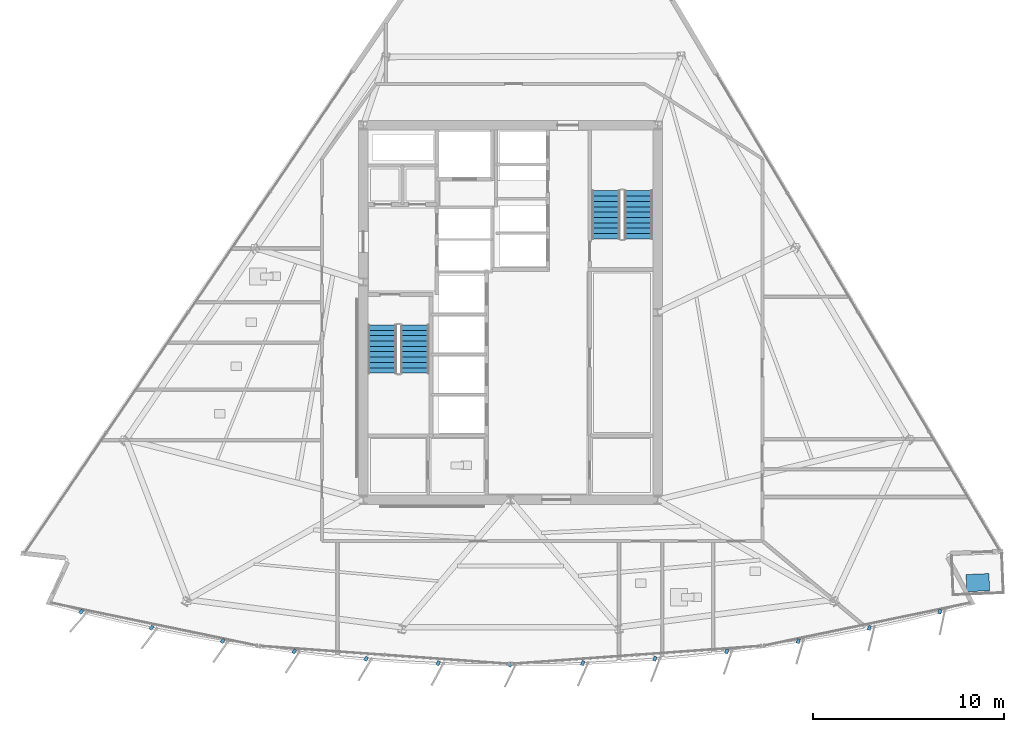
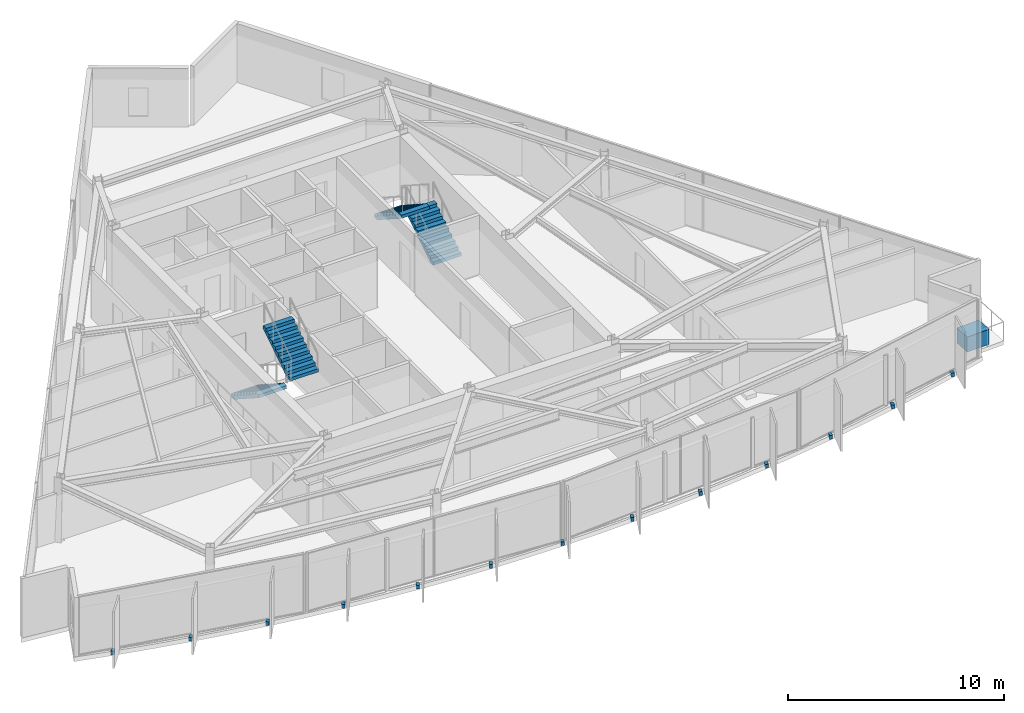
# One storey, part 10 of 15: 14 discrete accessories, 4 stair flights, 2 elements without a shape of their own.
"""IFC4 building model written with IfcOpenShell, lengths in metres."""

from ifc_helpers import new_model, si_unit, direction, frame, origin, origin_2d, place, context, subcontext, project, spatial, polyline, rectangle, outline, extrude, material, type_object, element, aggregate, save


model = new_model("IFC4")

# Units and contexts
model_context = context("Model", 3, precision=1e-05, world=origin(), true_north=direction((0.0, 1.0)))
body_context = subcontext(model_context, "Body", "Model", "MODEL_VIEW")
ifc_project = project(units=[si_unit("LENGTHUNIT", "METRE"), si_unit("AREAUNIT", "SQUARE_METRE"), si_unit("VOLUMEUNIT", "CUBIC_METRE"), si_unit("PLANEANGLEUNIT", "RADIAN"), si_unit("MASSUNIT", "GRAM", prefix="KILO")], contexts=[model_context])

# Site, building, storey
site_placement = place(None, origin())
site = spatial("IfcSite", under=ifc_project, at=site_placement, CompositionType="ELEMENT")
building_placement = place(site_placement, origin())
building = spatial("IfcBuilding", under=site, at=building_placement, Name="Savorim Split Tower", CompositionType="ELEMENT")
storey_placement = place(building_placement, frame((0.0, 0.0, 198.300048828125)))
storey = spatial("IfcBuildingStorey", under=building, at=storey_placement, Name="L52", CompositionType="ELEMENT", Elevation=198.300048828125)

# Stair, stair flights
ifc_material_1 = material(Name="Concrete C50/60", Category="concrete")
stair_type = type_object("IfcStairType", Name="STR-DOG-3600", PredefinedType="HALF_TURN_STAIR", material=ifc_material_1)
stair_1_placement = place(storey_placement, origin())
stair_1 = element("IfcStair", 1, at=stair_1_placement, inside=storey, type_object=stair_type, Name="L52 Core Protected Exit Stair ST-1", PredefinedType="HALF_TURN_STAIR")
stair_flight_type = type_object("IfcStairFlightType", Name="SFL-DOG-3600", PredefinedType="STRAIGHT", material=ifc_material_1)
stair_flight_1_placement = place(storey_placement, frame((-6.699951171875, -0.25, 0.0), z_axis=(0.0, 0.0, 1.0), x_axis=(0.0, -1.0, 0.0)))
stair_flight_1 = element("IfcStairFlight", 2, at=stair_flight_1_placement, type_object=stair_flight_type, Name="ST-1 flight 1", NumberOfRisers=10, NumberOfTreads=9, PredefinedType="STRAIGHT", RiserHeight=0.18, TreadLength=0.28, context=body_context, shape_type="SweptSolid", body=[
    extrude(outline(polyline([(0.0, 0.0), (0.0, 0.179931640625), (0.280029296875, 0.179931640625), (0.280029296875, 0.360107421875), (0.56005859375, 0.360107421875), (0.56005859375, 0.5400390625), (0.840087890625, 0.5400390625), (0.840087890625, 0.719970703125), (1.1201171875, 0.719970703125), (1.1201171875, 0.89990234375), (1.39990234375, 0.89990234375), (1.39990234375, 1.080078125), (1.679931640625, 1.080078125), (1.679931640625, 1.260009765625), (1.9599609375, 1.260009765625), (1.9599609375, 1.43994140625), (2.239990234375, 1.43994140625), (2.239990234375, 1.6201171875), (2.52001953125, 1.6201171875), (2.52001953125, 1.800048828125), (2.52001953125, 1.44189453125), (0.277099609375, 0.0), (0.0, 0.0)])), frame((0.0, 0.75, 0.0), z_axis=(0.0, -1.0, 0.0), x_axis=(1.0, 0.0, 0.0)), (0.0, 0.0, 1.0), 1.5),
])
stair_flight_2_placement = place(storey_placement, frame((-5.0, -2.77001953125, 1.800048828125), z_axis=(0.0, 0.0, 1.0), x_axis=(0.0, 1.0, 0.0)))
stair_flight_2 = element("IfcStairFlight", 3, at=stair_flight_2_placement, type_object=stair_flight_type, Name="ST-1 flight 2", NumberOfRisers=10, NumberOfTreads=9, PredefinedType="STRAIGHT", RiserHeight=0.18, TreadLength=0.28, context=body_context, shape_type="SweptSolid", body=[
    extrude(outline(polyline([(0.0, 0.0), (0.0, 0.179931640625), (0.280029296875, 0.179931640625), (0.280029296875, 0.360107421875), (0.56005859375, 0.360107421875), (0.56005859375, 0.5400390625), (0.840087890625, 0.5400390625), (0.840087890625, 0.719970703125), (1.1201171875, 0.719970703125), (1.1201171875, 0.89990234375), (1.39990234375, 0.89990234375), (1.39990234375, 1.080078125), (1.679931640625, 1.080078125), (1.679931640625, 1.260009765625), (1.9599609375, 1.260009765625), (1.9599609375, 1.43994140625), (2.239990234375, 1.43994140625), (2.239990234375, 1.6201171875), (2.52001953125, 1.6201171875), (2.52001953125, 1.800048828125), (2.52001953125, 1.44189453125), (0.277099609375, 0.0), (0.0, 0.0)])), frame((0.0, 0.75, 0.0), z_axis=(0.0, -1.0, 0.0), x_axis=(1.0, 0.0, 0.0)), (0.0, 0.0, 1.0), 1.5),
])
aggregate(stair_1, [stair_flight_1, stair_flight_2])

stair_2_placement = place(storey_placement, origin())
stair_2 = element("IfcStair", 4, at=stair_2_placement, inside=storey, type_object=stair_type, Name="L52 Core Protected Exit Stair ST-2", PredefinedType="HALF_TURN_STAIR")
stair_flight_3_placement = place(storey_placement, frame((6.699951171875, 4.25, 0.0), z_axis=(0.0, 0.0, 1.0), x_axis=(0.0, 1.0, 0.0)))
stair_flight_3 = element("IfcStairFlight", 5, at=stair_flight_3_placement, type_object=stair_flight_type, Name="ST-2 flight 1", NumberOfRisers=10, NumberOfTreads=9, PredefinedType="STRAIGHT", RiserHeight=0.18, TreadLength=0.28, context=body_context, shape_type="SweptSolid", body=[
    extrude(outline(polyline([(0.0, 0.0), (0.0, 0.179931640625), (0.280029296875, 0.179931640625), (0.280029296875, 0.360107421875), (0.56005859375, 0.360107421875), (0.56005859375, 0.5400390625), (0.840087890625, 0.5400390625), (0.840087890625, 0.719970703125), (1.1201171875, 0.719970703125), (1.1201171875, 0.89990234375), (1.39990234375, 0.89990234375), (1.39990234375, 1.080078125), (1.679931640625, 1.080078125), (1.679931640625, 1.260009765625), (1.9599609375, 1.260009765625), (1.9599609375, 1.43994140625), (2.239990234375, 1.43994140625), (2.239990234375, 1.6201171875), (2.52001953125, 1.6201171875), (2.52001953125, 1.800048828125), (2.52001953125, 1.44189453125), (0.277099609375, 0.0), (0.0, 0.0)])), frame((0.0, 0.75, 0.0), z_axis=(0.0, -1.0, 0.0), x_axis=(1.0, 0.0, 0.0)), (0.0, 0.0, 1.0), 1.5),
])
stair_flight_4_placement = place(storey_placement, frame((5.0, 6.77001953125, 1.800048828125), z_axis=(0.0, 0.0, 1.0), x_axis=(0.0, -1.0, 0.0)))
stair_flight_4 = element("IfcStairFlight", 6, at=stair_flight_4_placement, type_object=stair_flight_type, Name="ST-2 flight 2", NumberOfRisers=10, NumberOfTreads=9, PredefinedType="STRAIGHT", RiserHeight=0.18, TreadLength=0.28, context=body_context, shape_type="SweptSolid", body=[
    extrude(outline(polyline([(0.0, 0.0), (0.0, 0.179931640625), (0.280029296875, 0.179931640625), (0.280029296875, 0.360107421875), (0.56005859375, 0.360107421875), (0.56005859375, 0.5400390625), (0.840087890625, 0.5400390625), (0.840087890625, 0.719970703125), (1.1201171875, 0.719970703125), (1.1201171875, 0.89990234375), (1.39990234375, 0.89990234375), (1.39990234375, 1.080078125), (1.679931640625, 1.080078125), (1.679931640625, 1.260009765625), (1.9599609375, 1.260009765625), (1.9599609375, 1.43994140625), (2.239990234375, 1.43994140625), (2.239990234375, 1.6201171875), (2.52001953125, 1.6201171875), (2.52001953125, 1.800048828125), (2.52001953125, 1.44189453125), (0.277099609375, 0.0), (0.0, 0.0)])), frame((0.0, 0.75, 0.0), z_axis=(0.0, -1.0, 0.0), x_axis=(1.0, 0.0, 0.0)), (0.0, 0.0, 1.0), 1.5),
])
aggregate(stair_2, [stair_flight_3, stair_flight_4])

# Discrete accessories
ifc_material_2 = material(Name="Steel S355", Category="steel")
discrete_accessory_type_1 = type_object("IfcDiscreteAccessoryType", Name="ACC-BRK-FIN", PredefinedType="BRACKET", material=ifc_material_2)
for number, where, z_axis, x_axis, name in (
    (7, (-22.460205078125, -15.250732421875, -0.18994140625), (0.0, 0.0, 1.0), (-0.643719022682, -0.765261928909, 0.0), "L52 Fin Slab-Edge Cleat Bracket 01"),
    (8, (-18.774658203125, -16.0947265625, -0.18994140625), (0.0, 0.0, 1.0), (-0.611868076908, -0.790959832394, 0.0), "L52 Fin Slab-Edge Cleat Bracket 02"),
    (9, (-15.0576171875, -16.787109375, -0.18994140625), (0.0, 0.0, 1.0), (-0.578993757737, -0.815331974414, 0.0), "L52 Fin Slab-Edge Cleat Bracket 03"),
    (10, (-11.315185546875, -17.326904296875, -0.18994140625), (0.0, 0.0, 1.0), (-0.545148321708, -0.838339613366, 0.0), "L52 Fin Slab-Edge Cleat Bracket 04"),
    (11, (-7.55419921875, -17.713134765625, -0.18994140625), (0.0, 0.0, 1.0), (-0.510391336723, -0.859942255851, 0.0), "L52 Fin Slab-Edge Cleat Bracket 05"),
    (12, (-3.7802734375, -17.945068359375, -0.18994140625), (0.0, 0.0, 1.0), (-0.474778051978, -0.880105562623, 0.0), "L52 Fin Slab-Edge Cleat Bracket 06"),
    (13, (0.0, -18.0224609375, -0.18994140625), (0.0, 0.0, 1.0), (-0.438371146789, -0.898794046299, 0.0), "L52 Fin Slab-Edge Cleat Bracket 07"),
    (14, (3.7802734375, -17.945068359375, -0.18994140625), (0.0, 0.0, 1.0), (-0.401230091723, -0.915977299662, 0.0), "L52 Fin Slab-Edge Cleat Bracket 08"),
    (15, (7.55419921875, -17.713134765625, -0.18994140625), (0.0, 0.0, 1.0), (-0.363415461732, -0.931627179817, 0.0), "L52 Fin Slab-Edge Cleat Bracket 09"),
    (16, (11.315185546875, -17.326904296875, -0.18994140625), (0.0, 0.0, 1.0), (-0.324993810493, -0.945716143005, 0.0), "L52 Fin Slab-Edge Cleat Bracket 10"),
    (17, (15.0576171875, -16.787109375, -0.18994140625), (0.0, 0.0, 1.0), (-0.286026212504, -0.958221793616, 0.0), "L52 Fin Slab-Edge Cleat Bracket 11"),
    (18, (18.774658203125, -16.0947265625, -0.18994140625), (0.0, 0.0, 1.0), (-0.246581250663, -0.969122121727, 0.0), "L52 Fin Slab-Edge Cleat Bracket 12"),
    (19, (22.460205078125, -15.250732421875, -0.18994140625), (0.0, 0.0, 1.0), (-0.206721626106, -0.978399800337, 0.0), "L52 Fin Slab-Edge Cleat Bracket 13"),
):
    element("IfcDiscreteAccessory", number, at=place(storey_placement, frame(where, z_axis=z_axis, x_axis=x_axis)), inside=storey, type_object=discrete_accessory_type_1, Name=name, PredefinedType="BRACKET", context=body_context, shape_type="SweptSolid", body=[
        extrude(rectangle(XDim=0.239990234375, YDim=0.159912109375, at=origin_2d()), origin(), (0.0, 0.0, 1.0), 0.219970703125),
    ])
ifc_material_3 = material(Name="Architectural Precast Planter Concrete C40/50", Category="concrete")
discrete_accessory_type_2 = type_object("IfcDiscreteAccessoryType", Name="ACC-PLN-TREE", PredefinedType="USERDEFINED", material=ifc_material_3)
discrete_accessory_placement = place(storey_placement, frame((24.4482421875, -13.73046875, 0.0), z_axis=(0.0, 0.0, 1.0), x_axis=(0.999095950682, 0.042512131569, 0.0)))
element("IfcDiscreteAccessory", 20, at=discrete_accessory_placement, inside=storey, type_object=discrete_accessory_type_2, Name="L52 Balcony Precast Tree Planter SE", ObjectType="PLANTER", PredefinedType="USERDEFINED", context=body_context, shape_type="SweptSolid", body=[
    extrude(rectangle(XDim=1.199951171875, YDim=0.89990234375, at=origin_2d()), origin(), (0.0, 0.0, 1.0), 0.85009765625),
])

save(model, "model.ifc")
